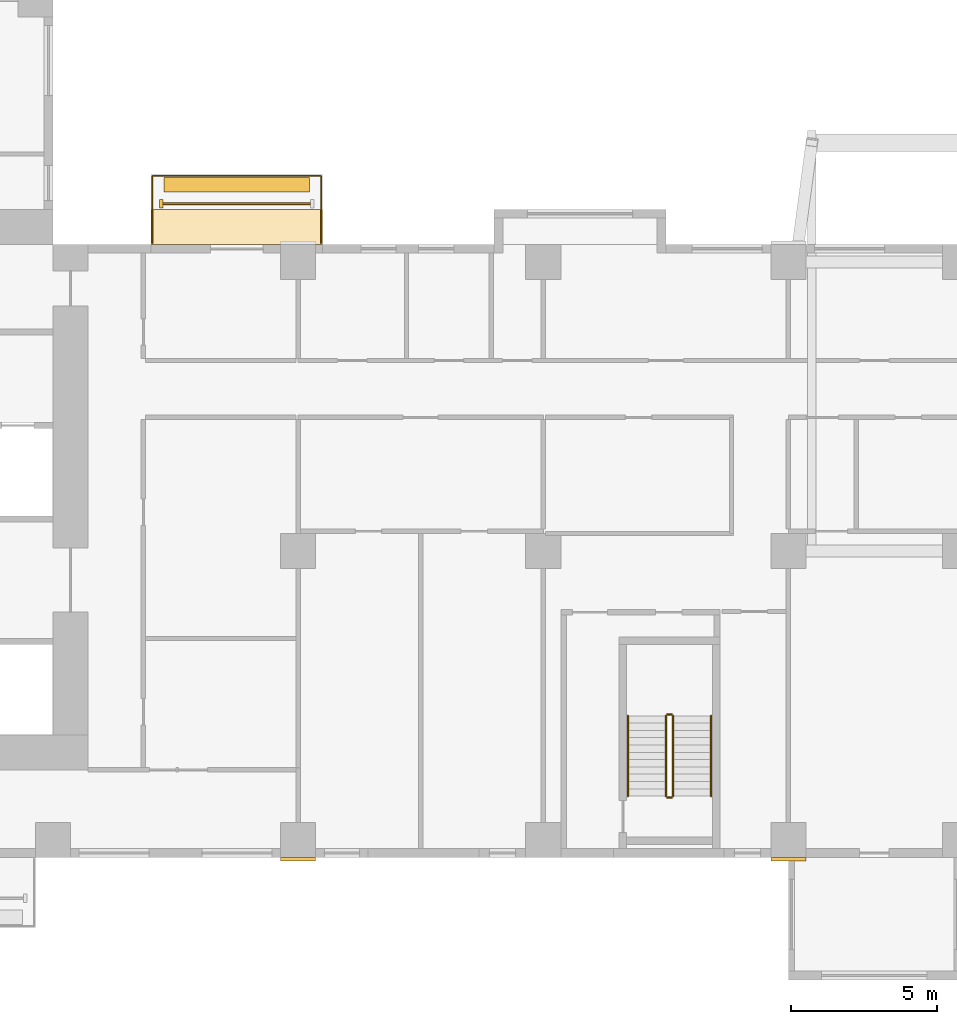
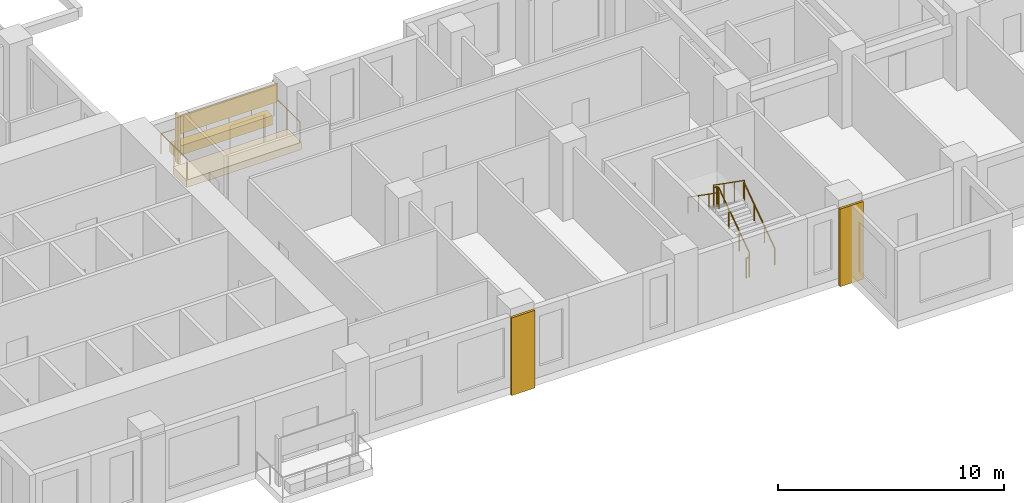
# One storey, part 12 of 14: 7 railings, 6 coverings.
"""IFC4 building model written with IfcOpenShell, lengths in metres."""

from ifc_helpers import new_model, si_unit, direction, frame, origin, origin_2d, place, context, subcontext, project, spatial, polyline, rectangle, circle, outline, extrude, source, transform, mapped, material, type_object, element, save


model = new_model("IFC4")

# Units and contexts
model_context = context("Model", 3, precision=1e-05, world=origin(), true_north=direction((0.0, 1.0)))
body_context = subcontext(model_context, "Body", "Model", "MODEL_VIEW")
ifc_project = project(units=[si_unit("LENGTHUNIT", "METRE"), si_unit("AREAUNIT", "SQUARE_METRE"), si_unit("VOLUMEUNIT", "CUBIC_METRE"), si_unit("PLANEANGLEUNIT", "RADIAN"), si_unit("MASSUNIT", "GRAM", prefix="KILO")], contexts=[model_context])

# Site, building, storey
site_placement = place(None, origin())
site = spatial("IfcSite", under=ifc_project, at=site_placement, CompositionType="ELEMENT")
building_placement = place(site_placement, origin())
building = spatial("IfcBuilding", under=site, at=building_placement, Name="Aurelian Terraces", CompositionType="ELEMENT")
storey_placement = place(building_placement, frame((0.0, 0.0, 44.7)))
storey = spatial("IfcBuildingStorey", under=building, at=storey_placement, Name="L08", CompositionType="ELEMENT", Elevation=44.7)

# Covering
ifc_material_1 = material(Name="Terracotta roof tiles on membrane", Category="masonry")
covering_type_1 = type_object("IfcCoveringType", Name="Bay roof cover", PredefinedType="ROOFING", material=ifc_material_1)
covering_1_placement = place(storey_placement, frame((0.0, 0.0, -0.4)))
element("IfcCovering", 1, at=covering_1_placement, inside=storey, type_object=covering_type_1, Name="Bay roof L08 24.36_21.00_30.24_22.20", PredefinedType="ROOFING", context=body_context, shape_type="SweptSolid", body=[
    extrude(outline(polyline([(24.36, 21.0), (24.36, 22.2), (30.24, 22.2), (30.24, 21.0), (24.36, 21.0)])), origin(), (0.0, 0.0, 1.0), 0.4),
])

# Railing
ifc_material_2 = material(Name="Anodised aluminium", Category="aluminium")
railing_type_1 = type_object("IfcRailingType", Name="GUARD-1100", PredefinedType="GUARDRAIL", material=ifc_material_2)
railing_1_placement = place(storey_placement, frame((30.19, 21.05, 0.0)))
element("IfcRailing", 2, at=railing_1_placement, inside=storey, type_object=railing_type_1, Name="Balcony guard L08 F07.26", PredefinedType="GUARDRAIL", context=body_context, shape_type="SweptSolid", body=[
    extrude(circle(Radius=0.024, at=origin_2d()), frame((0.0, 0.0, 1.076), z_axis=(0.0, 1.0, 0.0), x_axis=(-1.0, 0.0, 0.0)), (0.0, 0.0, 1.0), 2.3),
    extrude(circle(Radius=0.024, at=origin_2d()), frame((0.0, 2.3, 1.076), z_axis=(-1.0, 0.0, 0.0), x_axis=(0.0, -1.0, 0.0)), (0.0, 0.0, 1.0), 5.78),
    extrude(circle(Radius=0.024, at=origin_2d()), frame((-5.78, 2.3, 1.076), z_axis=(0.0, -1.0, 0.0), x_axis=(1.0, 0.0, 0.0)), (0.0, 0.0, 1.0), 2.3),
    extrude(circle(Radius=0.021, at=origin_2d()), origin(), (0.0, 0.0, 1.0), 1.052),
    extrude(circle(Radius=0.021, at=origin_2d()), frame((0.0, 1.15, 0.0)), (0.0, 0.0, 1.0), 1.052),
    extrude(circle(Radius=0.021, at=origin_2d()), frame((0.0, 2.3, 0.0)), (0.0, 0.0, 1.0), 1.052),
    extrude(circle(Radius=0.021, at=origin_2d()), frame((-1.156, 2.3, 0.0)), (0.0, 0.0, 1.0), 1.052),
    extrude(circle(Radius=0.021, at=origin_2d()), frame((-2.312, 2.3, 0.0)), (0.0, 0.0, 1.0), 1.052),
    extrude(circle(Radius=0.021, at=origin_2d()), frame((-3.468, 2.3, 0.0)), (0.0, 0.0, 1.0), 1.052),
    extrude(circle(Radius=0.021, at=origin_2d()), frame((-4.624, 2.3, 0.0)), (0.0, 0.0, 1.0), 1.052),
    extrude(circle(Radius=0.021, at=origin_2d()), frame((-5.78, 2.3, 0.0)), (0.0, 0.0, 1.0), 1.052),
    extrude(circle(Radius=0.021, at=origin_2d()), frame((-5.78, 1.15, 0.0)), (0.0, 0.0, 1.0), 1.052),
    extrude(circle(Radius=0.021, at=origin_2d()), frame((-5.78, 0.0, 0.0)), (0.0, 0.0, 1.0), 1.052),
])

# Coverings
ifc_material_3 = material(Name="Terracotta planter with planting soil", Category="masonry")
covering_type_2 = type_object("IfcCoveringType", Name="PLANTER-TROUGH", PredefinedType="USERDEFINED", material=ifc_material_3)
covering_2_placement = place(storey_placement, frame((27.3, 23.05, 0.0), z_axis=(0.0, 0.0, 1.0), x_axis=(1.0, 0.0, 0.0)))
element("IfcCovering", 3, at=covering_2_placement, inside=storey, type_object=covering_type_2, Name="PLANTER L08 L08-F07-26", ObjectType="PLANTER", PredefinedType="USERDEFINED", context=body_context, shape_type="SweptSolid", body=[
    extrude(rectangle(XDim=4.98, YDim=0.5, at=origin_2d()), origin(), (0.0, 0.0, 1.0), 0.5),
])
ifc_material_4 = material(Name="Terracotta rainscreen cladding", Category="masonry")
covering_type_3 = type_object("IfcCoveringType", Name="SCREEN-TC", PredefinedType="CLADDING", material=ifc_material_4)
covering_3_placement = place(storey_placement, frame((27.3, 22.4, 1.5), z_axis=(0.0, 0.0, 1.0), x_axis=(1.0, 0.0, 0.0)))
element("IfcCovering", 4, at=covering_3_placement, inside=storey, type_object=covering_type_3, Name="SCREEN L08 L08-F07-26", PredefinedType="CLADDING", context=body_context, shape_type="SweptSolid", body=[
    extrude(rectangle(XDim=5.06, YDim=0.06, at=origin_2d()), origin(), (0.0, 0.0, 1.0), 1.0),
])
ifc_material_5 = material(Name="Terracotta rainscreen cladding relief", Category="masonry")
covering_type_4 = type_object("IfcCoveringType", Name="BAGUETTE-TC", PredefinedType="CLADDING", material=ifc_material_5)
shared_shape_1 = source(origin(), body_context, "Body", "SweptSolid", [
    extrude(rectangle(XDim=1.2, YDim=0.12, at=origin_2d()), origin(), (0.0, 0.0, 1.0), 4.2),
])
for number, where, z_axis, x_axis, name in (
    (5, (29.4, -0.06, -0.4), (0.0, 0.0, 1.0), (1.0, 0.0, 0.0), "BAGUETTE pier L08 2"),
    (6, (46.2, -0.06, -0.4), (0.0, 0.0, 1.0), (1.0, 0.0, 0.0), "BAGUETTE pier L08 3"),
):
    element("IfcCovering", number, at=place(storey_placement, frame(where, z_axis=z_axis, x_axis=x_axis)), inside=storey, type_object=covering_type_4, Name=name, PredefinedType="CLADDING", context=body_context, shape_type="MappedRepresentation", body=[
        mapped(shared_shape_1, transform((0.0, 0.0, 0.0), scale=1.0)),
    ])
covering_type_5 = type_object("IfcCoveringType", Name="FIN-TC", PredefinedType="CLADDING", material=ifc_material_5)
shared_shape_2 = source(origin(), body_context, "Body", "SweptSolid", [
    extrude(rectangle(XDim=0.12, YDim=0.3, at=origin_2d()), origin(), (0.0, 0.0, 1.0), 2.6),
])
covering_4_placement = place(storey_placement, frame((24.71, 22.4, 0.0), z_axis=(0.0, 0.0, 1.0), x_axis=(1.0, 0.0, 0.0)))
element("IfcCovering", 7, at=covering_4_placement, inside=storey, type_object=covering_type_5, Name="FIN L08 L08-F07-26.2", PredefinedType="CLADDING", context=body_context, shape_type="MappedRepresentation", body=[
    mapped(shared_shape_2, transform((0.0, 0.0, 0.0), scale=1.0)),
])

# Railings
ifc_material_6 = material(Name="Stainless steel", Category="steel")
railing_type_2 = type_object("IfcRailingType", Name="Stair guard 1100", PredefinedType="GUARDRAIL", material=ifc_material_6)
shared_shape_3 = source(origin(), body_context, "Body", "SweptSolid", [
    extrude(circle(Radius=0.024, at=origin_2d()), frame((0.0, 0.0, 1.076), z_axis=(-1.0, 0.0, 0.0), x_axis=(0.0, -1.0, 0.0)), (0.0, 0.0, 1.0), 0.15),
    extrude(circle(Radius=0.021, at=origin_2d()), origin(), (0.0, 0.0, 1.0), 1.052),
    extrude(circle(Radius=0.021, at=origin_2d()), frame((-0.15, 0.0, 0.0)), (0.0, 0.0, 1.0), 1.052),
])
for number, where, name in (
    (8, (42.2, 4.9, 2.1), "L08 S2 stair guard 2"),
    (9, (42.2, 2.05, 0.0), "L08 S2 stair guard 4"),
):
    element("IfcRailing", number, at=place(storey_placement, frame(where)), inside=storey, type_object=railing_type_2, Name=name, PredefinedType="GUARDRAIL", context=body_context, shape_type="MappedRepresentation", body=[
        mapped(shared_shape_3, transform((0.0, 0.0, 0.0), scale=1.0)),
    ])
shared_shape_4 = source(origin(), body_context, "Body", "SweptSolid", [
    extrude(circle(Radius=0.024, at=origin_2d()), frame((0.0, 0.0, 1.076), z_axis=(0.0, 0.819231920519, 0.573462344363), x_axis=(-1.0, 0.0, 0.0)), (0.0, 0.0, 1.0), 3.3568),
    extrude(circle(Radius=0.021, at=origin_2d()), origin(), (0.0, 0.0, 1.0), 1.052),
    extrude(circle(Radius=0.021, at=origin_2d()), frame((0.0, 0.9167, 0.6417)), (0.0, 0.0, 1.0), 1.052),
    extrude(circle(Radius=0.021, at=origin_2d()), frame((0.0, 1.8333, 1.2833)), (0.0, 0.0, 1.0), 1.052),
    extrude(circle(Radius=0.021, at=origin_2d()), frame((0.0, 2.75, 1.925)), (0.0, 0.0, 1.0), 1.052),
])
railing_2_placement = place(storey_placement, frame((42.25, 2.1, 0.175)))
element("IfcRailing", 10, at=railing_2_placement, inside=storey, type_object=railing_type_2, Name="L08 S2 stair guard 1", PredefinedType="GUARDRAIL", context=body_context, shape_type="MappedRepresentation", body=[
    mapped(shared_shape_4, transform((0.0, 0.0, 0.0), scale=1.0)),
])
shared_shape_5 = source(origin(), body_context, "Body", "SweptSolid", [
    extrude(circle(Radius=0.024, at=origin_2d()), frame((0.0, 0.0, 1.076), z_axis=(0.0, -0.819231920519, 0.573462344363), x_axis=(1.0, 0.0, 0.0)), (0.0, 0.0, 1.0), 3.3568),
    extrude(circle(Radius=0.021, at=origin_2d()), origin(), (0.0, 0.0, 1.0), 1.052),
    extrude(circle(Radius=0.021, at=origin_2d()), frame((0.0, -0.9167, 0.6417)), (0.0, 0.0, 1.0), 1.052),
    extrude(circle(Radius=0.021, at=origin_2d()), frame((0.0, -1.8333, 1.2833)), (0.0, 0.0, 1.0), 1.052),
    extrude(circle(Radius=0.021, at=origin_2d()), frame((0.0, -2.75, 1.925)), (0.0, 0.0, 1.0), 1.052),
])
railing_3_placement = place(storey_placement, frame((42.0, 4.85, 2.275)))
element("IfcRailing", 11, at=railing_3_placement, inside=storey, type_object=railing_type_2, Name="L08 S2 stair guard 3", PredefinedType="GUARDRAIL", context=body_context, shape_type="MappedRepresentation", body=[
    mapped(shared_shape_5, transform((0.0, 0.0, 0.0), scale=1.0)),
])
railing_type_3 = type_object("IfcRailingType", Name="Stair handrail", PredefinedType="HANDRAIL", material=ifc_material_6)
shared_shape_6 = source(origin(), body_context, "Body", "SweptSolid", [
    extrude(circle(Radius=0.024, at=origin_2d()), frame((0.0, 0.0, 0.876), z_axis=(0.0, 0.819231920519, 0.573462344363), x_axis=(-1.0, 0.0, 0.0)), (0.0, 0.0, 1.0), 3.3568),
    extrude(circle(Radius=0.021, at=origin_2d()), origin(), (0.0, 0.0, 1.0), 0.852),
    extrude(circle(Radius=0.021, at=origin_2d()), frame((0.0, 0.9167, 0.6417)), (0.0, 0.0, 1.0), 0.852),
    extrude(circle(Radius=0.021, at=origin_2d()), frame((0.0, 1.8333, 1.2833)), (0.0, 0.0, 1.0), 0.852),
    extrude(circle(Radius=0.021, at=origin_2d()), frame((0.0, 2.75, 1.925)), (0.0, 0.0, 1.0), 0.852),
])
railing_4_placement = place(storey_placement, frame((43.55, 2.1, 0.175)))
element("IfcRailing", 12, at=railing_4_placement, inside=storey, type_object=railing_type_3, Name="L08 S2 stair handrail 1", PredefinedType="HANDRAIL", context=body_context, shape_type="MappedRepresentation", body=[
    mapped(shared_shape_6, transform((0.0, 0.0, 0.0), scale=1.0)),
])
shared_shape_7 = source(origin(), body_context, "Body", "SweptSolid", [
    extrude(circle(Radius=0.024, at=origin_2d()), frame((0.0, 0.0, 0.876), z_axis=(0.0, -0.819231920519, 0.573462344363), x_axis=(1.0, 0.0, 0.0)), (0.0, 0.0, 1.0), 3.3568),
    extrude(circle(Radius=0.021, at=origin_2d()), origin(), (0.0, 0.0, 1.0), 0.852),
    extrude(circle(Radius=0.021, at=origin_2d()), frame((0.0, -0.9167, 0.6417)), (0.0, 0.0, 1.0), 0.852),
    extrude(circle(Radius=0.021, at=origin_2d()), frame((0.0, -1.8333, 1.2833)), (0.0, 0.0, 1.0), 0.852),
    extrude(circle(Radius=0.021, at=origin_2d()), frame((0.0, -2.75, 1.925)), (0.0, 0.0, 1.0), 0.852),
])
railing_5_placement = place(storey_placement, frame((40.7, 4.85, 2.275)))
element("IfcRailing", 13, at=railing_5_placement, inside=storey, type_object=railing_type_3, Name="L08 S2 stair handrail 2", PredefinedType="HANDRAIL", context=body_context, shape_type="MappedRepresentation", body=[
    mapped(shared_shape_7, transform((0.0, 0.0, 0.0), scale=1.0)),
])

save(model, "model.ifc")
